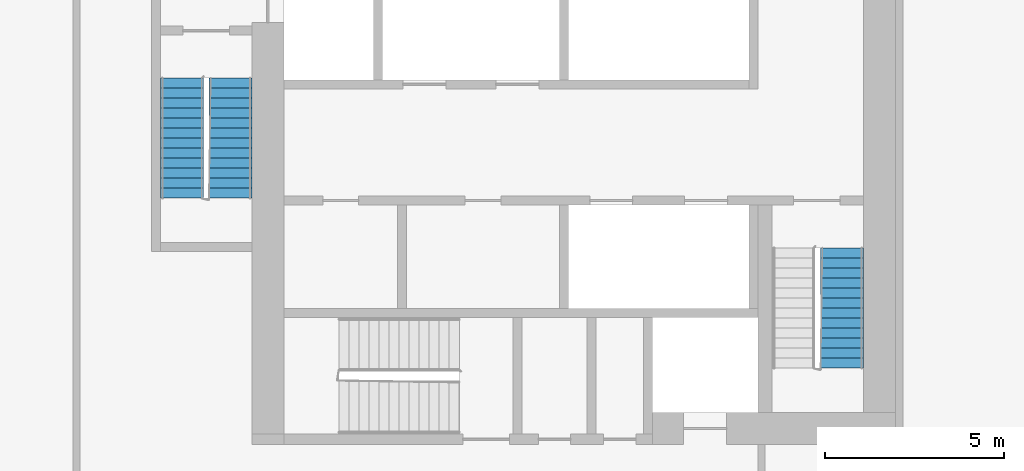
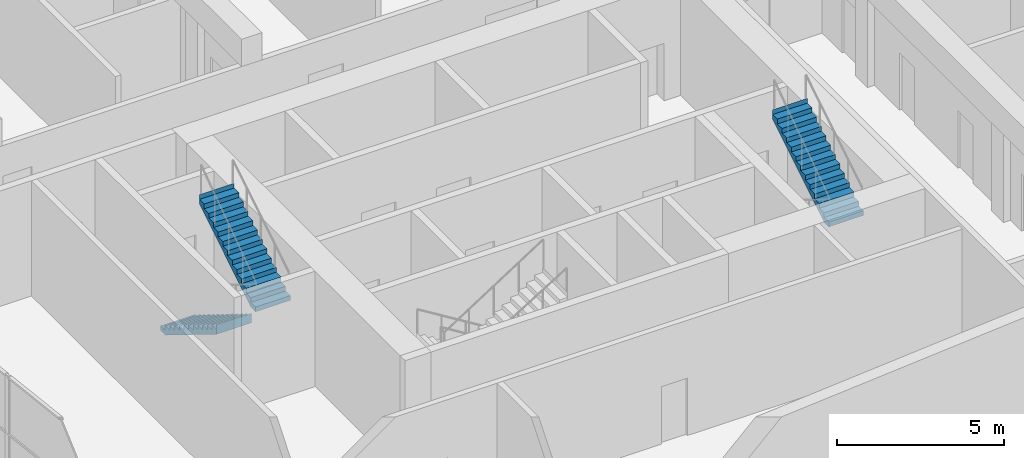
# One storey, part 18 of 21: 3 stair flights, 2 elements without a shape of their own.
"""IFC4 building model written with IfcOpenShell, lengths in metres."""

from ifc_helpers import new_model, si_unit, direction, frame, origin, place, context, subcontext, project, spatial, faceted_brep, material, type_object, element, aggregate, save


model = new_model("IFC4")

# Units and contexts
model_context = context("Model", 3, precision=1e-05, world=origin(), true_north=direction((0.0, 1.0)))
body_context = subcontext(model_context, "Body", "Model", "MODEL_VIEW")
ifc_project = project(units=[si_unit("LENGTHUNIT", "METRE"), si_unit("AREAUNIT", "SQUARE_METRE"), si_unit("VOLUMEUNIT", "CUBIC_METRE"), si_unit("PLANEANGLEUNIT", "RADIAN"), si_unit("MASSUNIT", "GRAM", prefix="KILO")], contexts=[model_context])

# Site, building, storey
site_placement = place(None, origin())
site = spatial("IfcSite", under=ifc_project, at=site_placement, CompositionType="ELEMENT")
building_placement = place(site_placement, origin())
building = spatial("IfcBuilding", under=site, at=building_placement, Name="Kajstack Hotel Tower", CompositionType="ELEMENT")
storey_placement = place(building_placement, frame((0.0, 0.0, 162.39990234375)))
storey = spatial("IfcBuildingStorey", under=building, at=storey_placement, Name="L37", CompositionType="ELEMENT", Elevation=162.39990234375)

# Stair, stair flights
ifc_material = material(Name="Concrete C40/50", Category="concrete")
stair_type = type_object("IfcStairType", Name="Exit stair 1200", PredefinedType="HALF_TURN_STAIR", material=ifc_material)
stair_1_placement = place(storey_placement, origin())
stair_1 = element("IfcStair", 1, at=stair_1_placement, inside=storey, type_object=stair_type, Name="L37 stair W1", PredefinedType="HALF_TURN_STAIR")
stair_flight_type = type_object("IfcStairFlightType", Name="Exit stair flight 1200", PredefinedType="STRAIGHT", material=ifc_material)
stair_flight_1_placement = place(storey_placement, frame((-33.449951171875, -5.25, 0.0), z_axis=(0.0, 0.0, 1.0), x_axis=(0.0, -1.0, 0.0)))
stair_flight_1 = element("IfcStairFlight", 2, at=stair_flight_1_placement, type_object=stair_flight_type, Name="W1 flight 1", NumberOfRisers=13, NumberOfTreads=12, PredefinedType="STRAIGHT", RiserHeight=0.173076923, TreadLength=0.28, context=body_context, shape_type="Brep", body=[
    faceted_brep([(0.28564453125, -0.60009765625, 0.0), (3.360595703125, -0.60009765625, 1.900634765625), (3.360595703125, -0.60009765625, 2.25), (3.360107421875, -0.60009765625, 2.25), (3.360107421875, -0.60009765625, 2.076904296875), (3.080078125, -0.60009765625, 2.076904296875), (3.080078125, -0.60009765625, 1.90380859375), (2.800048828125, -0.60009765625, 1.90380859375), (2.800048828125, -0.60009765625, 1.730712890625), (2.52001953125, -0.60009765625, 1.730712890625), (2.52001953125, -0.60009765625, 1.5576171875), (2.239990234375, -0.60009765625, 1.5576171875), (2.239990234375, -0.60009765625, 1.384521484375), (1.9599609375, -0.60009765625, 1.384521484375), (1.9599609375, -0.60009765625, 1.21142578125), (1.679931640625, -0.60009765625, 1.21142578125), (1.679931640625, -0.60009765625, 1.03857421875), (1.39990234375, -0.60009765625, 1.03857421875), (1.39990234375, -0.60009765625, 0.865478515625), (1.1201171875, -0.60009765625, 0.865478515625), (1.1201171875, -0.60009765625, 0.6923828125), (0.840087890625, -0.60009765625, 0.6923828125), (0.840087890625, -0.60009765625, 0.519287109375), (0.56005859375, -0.60009765625, 0.519287109375), (0.56005859375, -0.60009765625, 0.34619140625), (0.280029296875, -0.60009765625, 0.34619140625), (0.280029296875, -0.60009765625, 0.173095703125), (-0.00048828125, -0.60009765625, 0.173095703125), (-0.00048828125, -0.60009765625, 0.0), (-0.00048828125, 0.60009765625, 0.0), (-0.00048828125, 0.60009765625, 0.173095703125), (0.280029296875, 0.60009765625, 0.173095703125), (0.280029296875, 0.60009765625, 0.34619140625), (0.56005859375, 0.60009765625, 0.34619140625), (0.56005859375, 0.60009765625, 0.519287109375), (0.840087890625, 0.60009765625, 0.519287109375), (0.840087890625, 0.60009765625, 0.6923828125), (1.1201171875, 0.60009765625, 0.6923828125), (1.1201171875, 0.60009765625, 0.865478515625), (1.39990234375, 0.60009765625, 0.865478515625), (1.39990234375, 0.60009765625, 1.03857421875), (1.679931640625, 0.60009765625, 1.03857421875), (1.679931640625, 0.60009765625, 1.21142578125), (1.9599609375, 0.60009765625, 1.21142578125), (1.9599609375, 0.60009765625, 1.384521484375), (2.239990234375, 0.60009765625, 1.384521484375), (2.239990234375, 0.60009765625, 1.5576171875), (2.52001953125, 0.60009765625, 1.5576171875), (2.52001953125, 0.60009765625, 1.730712890625), (2.800048828125, 0.60009765625, 1.730712890625), (2.800048828125, 0.60009765625, 1.90380859375), (3.080078125, 0.60009765625, 1.90380859375), (3.080078125, 0.60009765625, 2.076904296875), (3.360107421875, 0.60009765625, 2.076904296875), (3.360107421875, 0.60009765625, 2.25), (3.360595703125, 0.60009765625, 2.25), (3.360595703125, 0.60009765625, 1.900634765625), (0.28564453125, 0.60009765625, 0.0), (-0.00048828125, -0.300048828125, 0.173095703125), (-0.00048828125, 0.0, 0.173095703125), (-0.00048828125, 0.300048828125, 0.173095703125), (-0.00048828125, 0.300048828125, 0.0), (-0.00048828125, 0.0, 0.0), (-0.00048828125, -0.300048828125, 0.0), (0.280029296875, -0.300048828125, 0.173095703125), (0.280029296875, 0.0, 0.173095703125), (0.280029296875, 0.300048828125, 0.173095703125), (0.280029296875, -0.300048828125, 0.34619140625), (0.280029296875, 0.0, 0.34619140625), (0.280029296875, 0.300048828125, 0.34619140625), (0.56005859375, -0.300048828125, 0.34619140625), (0.56005859375, 0.0, 0.34619140625), (0.56005859375, 0.300048828125, 0.34619140625), (0.56005859375, -0.300048828125, 0.519287109375), (0.56005859375, 0.0, 0.519287109375), (0.56005859375, 0.300048828125, 0.519287109375), (0.840087890625, -0.300048828125, 0.519287109375), (0.840087890625, 0.0, 0.519287109375), (0.840087890625, 0.300048828125, 0.519287109375), (0.840087890625, -0.300048828125, 0.6923828125), (0.840087890625, 0.0, 0.6923828125), (0.840087890625, 0.300048828125, 0.6923828125), (1.1201171875, -0.300048828125, 0.6923828125), (1.1201171875, 0.0, 0.6923828125), (1.1201171875, 0.300048828125, 0.6923828125), (1.1201171875, -0.300048828125, 0.865478515625), (1.1201171875, 0.0, 0.865478515625), (1.1201171875, 0.300048828125, 0.865478515625), (1.39990234375, -0.300048828125, 0.865478515625), (1.39990234375, 0.0, 0.865478515625), (1.39990234375, 0.300048828125, 0.865478515625), (1.39990234375, -0.300048828125, 1.03857421875), (1.39990234375, 0.0, 1.03857421875), (1.39990234375, 0.300048828125, 1.03857421875), (1.679931640625, -0.300048828125, 1.03857421875), (1.679931640625, 0.0, 1.03857421875), (1.679931640625, 0.300048828125, 1.03857421875), (1.679931640625, -0.300048828125, 1.21142578125), (1.679931640625, 0.0, 1.21142578125), (1.679931640625, 0.300048828125, 1.21142578125), (1.9599609375, -0.300048828125, 1.21142578125), (1.9599609375, 0.0, 1.21142578125), (1.9599609375, 0.300048828125, 1.21142578125), (1.9599609375, -0.300048828125, 1.384521484375), (1.9599609375, 0.0, 1.384521484375), (1.9599609375, 0.300048828125, 1.384521484375), (2.239990234375, -0.300048828125, 1.384521484375), (2.239990234375, 0.0, 1.384521484375), (2.239990234375, 0.300048828125, 1.384521484375), (2.239990234375, -0.300048828125, 1.5576171875), (2.239990234375, 0.0, 1.5576171875), (2.239990234375, 0.300048828125, 1.5576171875), (2.52001953125, -0.300048828125, 1.5576171875), (2.52001953125, 0.0, 1.5576171875), (2.52001953125, 0.300048828125, 1.5576171875), (2.52001953125, -0.300048828125, 1.730712890625), (2.52001953125, 0.0, 1.730712890625), (2.52001953125, 0.300048828125, 1.730712890625), (2.800048828125, -0.300048828125, 1.730712890625), (2.800048828125, 0.0, 1.730712890625), (2.800048828125, 0.300048828125, 1.730712890625), (2.800048828125, -0.300048828125, 1.90380859375), (2.800048828125, 0.0, 1.90380859375), (2.800048828125, 0.300048828125, 1.90380859375), (3.080078125, -0.300048828125, 1.90380859375), (3.080078125, 0.0, 1.90380859375), (3.080078125, 0.300048828125, 1.90380859375), (3.080078125, -0.300048828125, 2.076904296875), (3.080078125, 0.0, 2.076904296875), (3.080078125, 0.300048828125, 2.076904296875), (3.360107421875, -0.300048828125, 2.076904296875), (3.360107421875, 0.0, 2.076904296875), (3.360107421875, 0.300048828125, 2.076904296875), (3.360107421875, -0.300048828125, 2.25), (3.360107421875, 0.0, 2.25), (3.360107421875, 0.300048828125, 2.25), (3.360595703125, -0.300048828125, 2.25), (3.360595703125, 0.0, 2.25), (3.360595703125, 0.300048828125, 2.25), (3.360595703125, -0.300048828125, 1.900634765625), (3.360595703125, 0.0, 1.900634765625), (3.360595703125, 0.300048828125, 1.900634765625), (0.28564453125, -0.300048828125, 0.0), (0.28564453125, 0.0, 0.0), (0.28564453125, 0.300048828125, 0.0)], [[[0, 1, 2, 3, 4, 5, 6, 7, 8, 9, 10, 11, 12, 13, 14, 15, 16, 17, 18, 19, 20, 21, 22, 23, 24, 25, 26, 27, 28]], [[29, 30, 31, 32, 33, 34, 35, 36, 37, 38, 39, 40, 41, 42, 43, 44, 45, 46, 47, 48, 49, 50, 51, 52, 53, 54, 55, 56, 57]], [[27, 58, 59, 60, 30, 29, 61, 62, 63, 28]], [[26, 64, 65, 66, 31, 30, 60, 59, 58, 27]], [[25, 67, 68, 69, 32, 31, 66, 65, 64, 26]], [[24, 70, 71, 72, 33, 32, 69, 68, 67, 25]], [[23, 73, 74, 75, 34, 33, 72, 71, 70, 24]], [[22, 76, 77, 78, 35, 34, 75, 74, 73, 23]], [[21, 79, 80, 81, 36, 35, 78, 77, 76, 22]], [[20, 82, 83, 84, 37, 36, 81, 80, 79, 21]], [[19, 85, 86, 87, 38, 37, 84, 83, 82, 20]], [[18, 88, 89, 90, 39, 38, 87, 86, 85, 19]], [[17, 91, 92, 93, 40, 39, 90, 89, 88, 18]], [[16, 94, 95, 96, 41, 40, 93, 92, 91, 17]], [[15, 97, 98, 99, 42, 41, 96, 95, 94, 16]], [[14, 100, 101, 102, 43, 42, 99, 98, 97, 15]], [[13, 103, 104, 105, 44, 43, 102, 101, 100, 14]], [[12, 106, 107, 108, 45, 44, 105, 104, 103, 13]], [[11, 109, 110, 111, 46, 45, 108, 107, 106, 12]], [[10, 112, 113, 114, 47, 46, 111, 110, 109, 11]], [[9, 115, 116, 117, 48, 47, 114, 113, 112, 10]], [[8, 118, 119, 120, 49, 48, 117, 116, 115, 9]], [[7, 121, 122, 123, 50, 49, 120, 119, 118, 8]], [[6, 124, 125, 126, 51, 50, 123, 122, 121, 7]], [[5, 127, 128, 129, 52, 51, 126, 125, 124, 6]], [[4, 130, 131, 132, 53, 52, 129, 128, 127, 5]], [[3, 133, 134, 135, 54, 53, 132, 131, 130, 4]], [[2, 136, 137, 138, 55, 54, 135, 134, 133, 3]], [[1, 139, 140, 141, 56, 55, 138, 137, 136, 2]], [[0, 142, 143, 144, 57, 56, 141, 140, 139, 1]], [[28, 63, 62, 61, 29, 57, 144, 143, 142, 0]]]),
])
stair_flight_2_placement = place(storey_placement, frame((-32.10009765625, -8.610107421875, 2.25), z_axis=(0.0, 0.0, 1.0), x_axis=(0.0, 1.0, 0.0)))
stair_flight_2 = element("IfcStairFlight", 3, at=stair_flight_2_placement, type_object=stair_flight_type, Name="W1 flight 2", NumberOfRisers=13, NumberOfTreads=12, PredefinedType="STRAIGHT", RiserHeight=0.173076923, TreadLength=0.28, context=body_context, shape_type="Brep", body=[
    faceted_brep([(0.28564453125, -0.60009765625, 0.0), (3.360595703125, -0.60009765625, 1.900634765625), (3.360595703125, -0.60009765625, 2.25), (3.360107421875, -0.60009765625, 2.25), (3.360107421875, -0.60009765625, 2.076904296875), (3.080078125, -0.60009765625, 2.076904296875), (3.080078125, -0.60009765625, 1.90380859375), (2.800048828125, -0.60009765625, 1.90380859375), (2.800048828125, -0.60009765625, 1.730712890625), (2.52001953125, -0.60009765625, 1.730712890625), (2.52001953125, -0.60009765625, 1.5576171875), (2.239990234375, -0.60009765625, 1.5576171875), (2.239990234375, -0.60009765625, 1.384521484375), (1.9599609375, -0.60009765625, 1.384521484375), (1.9599609375, -0.60009765625, 1.21142578125), (1.679931640625, -0.60009765625, 1.21142578125), (1.679931640625, -0.60009765625, 1.03857421875), (1.39990234375, -0.60009765625, 1.03857421875), (1.39990234375, -0.60009765625, 0.865478515625), (1.1201171875, -0.60009765625, 0.865478515625), (1.1201171875, -0.60009765625, 0.6923828125), (0.840087890625, -0.60009765625, 0.6923828125), (0.840087890625, -0.60009765625, 0.519287109375), (0.56005859375, -0.60009765625, 0.519287109375), (0.56005859375, -0.60009765625, 0.34619140625), (0.280029296875, -0.60009765625, 0.34619140625), (0.280029296875, -0.60009765625, 0.173095703125), (-0.00048828125, -0.60009765625, 0.173095703125), (-0.00048828125, -0.60009765625, 0.0), (-0.00048828125, 0.60009765625, 0.0), (-0.00048828125, 0.60009765625, 0.173095703125), (0.280029296875, 0.60009765625, 0.173095703125), (0.280029296875, 0.60009765625, 0.34619140625), (0.56005859375, 0.60009765625, 0.34619140625), (0.56005859375, 0.60009765625, 0.519287109375), (0.840087890625, 0.60009765625, 0.519287109375), (0.840087890625, 0.60009765625, 0.6923828125), (1.1201171875, 0.60009765625, 0.6923828125), (1.1201171875, 0.60009765625, 0.865478515625), (1.39990234375, 0.60009765625, 0.865478515625), (1.39990234375, 0.60009765625, 1.03857421875), (1.679931640625, 0.60009765625, 1.03857421875), (1.679931640625, 0.60009765625, 1.21142578125), (1.9599609375, 0.60009765625, 1.21142578125), (1.9599609375, 0.60009765625, 1.384521484375), (2.239990234375, 0.60009765625, 1.384521484375), (2.239990234375, 0.60009765625, 1.5576171875), (2.52001953125, 0.60009765625, 1.5576171875), (2.52001953125, 0.60009765625, 1.730712890625), (2.800048828125, 0.60009765625, 1.730712890625), (2.800048828125, 0.60009765625, 1.90380859375), (3.080078125, 0.60009765625, 1.90380859375), (3.080078125, 0.60009765625, 2.076904296875), (3.360107421875, 0.60009765625, 2.076904296875), (3.360107421875, 0.60009765625, 2.25), (3.360595703125, 0.60009765625, 2.25), (3.360595703125, 0.60009765625, 1.900634765625), (0.28564453125, 0.60009765625, 0.0), (-0.00048828125, -0.300048828125, 0.173095703125), (-0.00048828125, 0.0, 0.173095703125), (-0.00048828125, 0.300048828125, 0.173095703125), (-0.00048828125, 0.300048828125, 0.0), (-0.00048828125, 0.0, 0.0), (-0.00048828125, -0.300048828125, 0.0), (0.280029296875, -0.300048828125, 0.173095703125), (0.280029296875, 0.0, 0.173095703125), (0.280029296875, 0.300048828125, 0.173095703125), (0.280029296875, -0.300048828125, 0.34619140625), (0.280029296875, 0.0, 0.34619140625), (0.280029296875, 0.300048828125, 0.34619140625), (0.56005859375, -0.300048828125, 0.34619140625), (0.56005859375, 0.0, 0.34619140625), (0.56005859375, 0.300048828125, 0.34619140625), (0.56005859375, -0.300048828125, 0.519287109375), (0.56005859375, 0.0, 0.519287109375), (0.56005859375, 0.300048828125, 0.519287109375), (0.840087890625, -0.300048828125, 0.519287109375), (0.840087890625, 0.0, 0.519287109375), (0.840087890625, 0.300048828125, 0.519287109375), (0.840087890625, -0.300048828125, 0.6923828125), (0.840087890625, 0.0, 0.6923828125), (0.840087890625, 0.300048828125, 0.6923828125), (1.1201171875, -0.300048828125, 0.6923828125), (1.1201171875, 0.0, 0.6923828125), (1.1201171875, 0.300048828125, 0.6923828125), (1.1201171875, -0.300048828125, 0.865478515625), (1.1201171875, 0.0, 0.865478515625), (1.1201171875, 0.300048828125, 0.865478515625), (1.39990234375, -0.300048828125, 0.865478515625), (1.39990234375, 0.0, 0.865478515625), (1.39990234375, 0.300048828125, 0.865478515625), (1.39990234375, -0.300048828125, 1.03857421875), (1.39990234375, 0.0, 1.03857421875), (1.39990234375, 0.300048828125, 1.03857421875), (1.679931640625, -0.300048828125, 1.03857421875), (1.679931640625, 0.0, 1.03857421875), (1.679931640625, 0.300048828125, 1.03857421875), (1.679931640625, -0.300048828125, 1.21142578125), (1.679931640625, 0.0, 1.21142578125), (1.679931640625, 0.300048828125, 1.21142578125), (1.9599609375, -0.300048828125, 1.21142578125), (1.9599609375, 0.0, 1.21142578125), (1.9599609375, 0.300048828125, 1.21142578125), (1.9599609375, -0.300048828125, 1.384521484375), (1.9599609375, 0.0, 1.384521484375), (1.9599609375, 0.300048828125, 1.384521484375), (2.239990234375, -0.300048828125, 1.384521484375), (2.239990234375, 0.0, 1.384521484375), (2.239990234375, 0.300048828125, 1.384521484375), (2.239990234375, -0.300048828125, 1.5576171875), (2.239990234375, 0.0, 1.5576171875), (2.239990234375, 0.300048828125, 1.5576171875), (2.52001953125, -0.300048828125, 1.5576171875), (2.52001953125, 0.0, 1.5576171875), (2.52001953125, 0.300048828125, 1.5576171875), (2.52001953125, -0.300048828125, 1.730712890625), (2.52001953125, 0.0, 1.730712890625), (2.52001953125, 0.300048828125, 1.730712890625), (2.800048828125, -0.300048828125, 1.730712890625), (2.800048828125, 0.0, 1.730712890625), (2.800048828125, 0.300048828125, 1.730712890625), (2.800048828125, -0.300048828125, 1.90380859375), (2.800048828125, 0.0, 1.90380859375), (2.800048828125, 0.300048828125, 1.90380859375), (3.080078125, -0.300048828125, 1.90380859375), (3.080078125, 0.0, 1.90380859375), (3.080078125, 0.300048828125, 1.90380859375), (3.080078125, -0.300048828125, 2.076904296875), (3.080078125, 0.0, 2.076904296875), (3.080078125, 0.300048828125, 2.076904296875), (3.360107421875, -0.300048828125, 2.076904296875), (3.360107421875, 0.0, 2.076904296875), (3.360107421875, 0.300048828125, 2.076904296875), (3.360107421875, -0.300048828125, 2.25), (3.360107421875, 0.0, 2.25), (3.360107421875, 0.300048828125, 2.25), (3.360595703125, -0.300048828125, 2.25), (3.360595703125, 0.0, 2.25), (3.360595703125, 0.300048828125, 2.25), (3.360595703125, -0.300048828125, 1.900634765625), (3.360595703125, 0.0, 1.900634765625), (3.360595703125, 0.300048828125, 1.900634765625), (0.28564453125, -0.300048828125, 0.0), (0.28564453125, 0.0, 0.0), (0.28564453125, 0.300048828125, 0.0)], [[[0, 1, 2, 3, 4, 5, 6, 7, 8, 9, 10, 11, 12, 13, 14, 15, 16, 17, 18, 19, 20, 21, 22, 23, 24, 25, 26, 27, 28]], [[29, 30, 31, 32, 33, 34, 35, 36, 37, 38, 39, 40, 41, 42, 43, 44, 45, 46, 47, 48, 49, 50, 51, 52, 53, 54, 55, 56, 57]], [[27, 58, 59, 60, 30, 29, 61, 62, 63, 28]], [[26, 64, 65, 66, 31, 30, 60, 59, 58, 27]], [[25, 67, 68, 69, 32, 31, 66, 65, 64, 26]], [[24, 70, 71, 72, 33, 32, 69, 68, 67, 25]], [[23, 73, 74, 75, 34, 33, 72, 71, 70, 24]], [[22, 76, 77, 78, 35, 34, 75, 74, 73, 23]], [[21, 79, 80, 81, 36, 35, 78, 77, 76, 22]], [[20, 82, 83, 84, 37, 36, 81, 80, 79, 21]], [[19, 85, 86, 87, 38, 37, 84, 83, 82, 20]], [[18, 88, 89, 90, 39, 38, 87, 86, 85, 19]], [[17, 91, 92, 93, 40, 39, 90, 89, 88, 18]], [[16, 94, 95, 96, 41, 40, 93, 92, 91, 17]], [[15, 97, 98, 99, 42, 41, 96, 95, 94, 16]], [[14, 100, 101, 102, 43, 42, 99, 98, 97, 15]], [[13, 103, 104, 105, 44, 43, 102, 101, 100, 14]], [[12, 106, 107, 108, 45, 44, 105, 104, 103, 13]], [[11, 109, 110, 111, 46, 45, 108, 107, 106, 12]], [[10, 112, 113, 114, 47, 46, 111, 110, 109, 11]], [[9, 115, 116, 117, 48, 47, 114, 113, 112, 10]], [[8, 118, 119, 120, 49, 48, 117, 116, 115, 9]], [[7, 121, 122, 123, 50, 49, 120, 119, 118, 8]], [[6, 124, 125, 126, 51, 50, 123, 122, 121, 7]], [[5, 127, 128, 129, 52, 51, 126, 125, 124, 6]], [[4, 130, 131, 132, 53, 52, 129, 128, 127, 5]], [[3, 133, 134, 135, 54, 53, 132, 131, 130, 4]], [[2, 136, 137, 138, 55, 54, 135, 134, 133, 3]], [[1, 139, 140, 141, 56, 55, 138, 137, 136, 2]], [[0, 142, 143, 144, 57, 56, 141, 140, 139, 1]], [[28, 63, 62, 61, 29, 57, 144, 143, 142, 0]]]),
])
aggregate(stair_1, [stair_flight_1, stair_flight_2])

# Stair, stair flight
stair_2_placement = place(storey_placement, origin())
stair_2 = element("IfcStair", 4, at=stair_2_placement, inside=storey, type_object=stair_type, Name="L37 stair W2", PredefinedType="HALF_TURN_STAIR")
stair_flight_3_placement = place(storey_placement, frame((-15.0, -13.360107421875, 2.25), z_axis=(0.0, 0.0, 1.0), x_axis=(0.0, 1.0, 0.0)))
stair_flight_3 = element("IfcStairFlight", 5, at=stair_flight_3_placement, type_object=stair_flight_type, Name="W2 flight 2", NumberOfRisers=13, NumberOfTreads=12, PredefinedType="STRAIGHT", RiserHeight=0.173076923, TreadLength=0.28, context=body_context, shape_type="Brep", body=[
    faceted_brep([(0.28564453125, -0.60009765625, 0.0), (3.360595703125, -0.60009765625, 1.900634765625), (3.360595703125, -0.60009765625, 2.25), (3.360107421875, -0.60009765625, 2.25), (3.360107421875, -0.60009765625, 2.076904296875), (3.080078125, -0.60009765625, 2.076904296875), (3.080078125, -0.60009765625, 1.90380859375), (2.800048828125, -0.60009765625, 1.90380859375), (2.800048828125, -0.60009765625, 1.730712890625), (2.52001953125, -0.60009765625, 1.730712890625), (2.52001953125, -0.60009765625, 1.5576171875), (2.239990234375, -0.60009765625, 1.5576171875), (2.239990234375, -0.60009765625, 1.384521484375), (1.9599609375, -0.60009765625, 1.384521484375), (1.9599609375, -0.60009765625, 1.21142578125), (1.679931640625, -0.60009765625, 1.21142578125), (1.679931640625, -0.60009765625, 1.03857421875), (1.39990234375, -0.60009765625, 1.03857421875), (1.39990234375, -0.60009765625, 0.865478515625), (1.1201171875, -0.60009765625, 0.865478515625), (1.1201171875, -0.60009765625, 0.6923828125), (0.840087890625, -0.60009765625, 0.6923828125), (0.840087890625, -0.60009765625, 0.519287109375), (0.56005859375, -0.60009765625, 0.519287109375), (0.56005859375, -0.60009765625, 0.34619140625), (0.280029296875, -0.60009765625, 0.34619140625), (0.280029296875, -0.60009765625, 0.173095703125), (-0.00048828125, -0.60009765625, 0.173095703125), (-0.00048828125, -0.60009765625, 0.0), (-0.00048828125, 0.60009765625, 0.0), (-0.00048828125, 0.60009765625, 0.173095703125), (0.280029296875, 0.60009765625, 0.173095703125), (0.280029296875, 0.60009765625, 0.34619140625), (0.56005859375, 0.60009765625, 0.34619140625), (0.56005859375, 0.60009765625, 0.519287109375), (0.840087890625, 0.60009765625, 0.519287109375), (0.840087890625, 0.60009765625, 0.6923828125), (1.1201171875, 0.60009765625, 0.6923828125), (1.1201171875, 0.60009765625, 0.865478515625), (1.39990234375, 0.60009765625, 0.865478515625), (1.39990234375, 0.60009765625, 1.03857421875), (1.679931640625, 0.60009765625, 1.03857421875), (1.679931640625, 0.60009765625, 1.21142578125), (1.9599609375, 0.60009765625, 1.21142578125), (1.9599609375, 0.60009765625, 1.384521484375), (2.239990234375, 0.60009765625, 1.384521484375), (2.239990234375, 0.60009765625, 1.5576171875), (2.52001953125, 0.60009765625, 1.5576171875), (2.52001953125, 0.60009765625, 1.730712890625), (2.800048828125, 0.60009765625, 1.730712890625), (2.800048828125, 0.60009765625, 1.90380859375), (3.080078125, 0.60009765625, 1.90380859375), (3.080078125, 0.60009765625, 2.076904296875), (3.360107421875, 0.60009765625, 2.076904296875), (3.360107421875, 0.60009765625, 2.25), (3.360595703125, 0.60009765625, 2.25), (3.360595703125, 0.60009765625, 1.900634765625), (0.28564453125, 0.60009765625, 0.0), (-0.00048828125, -0.300048828125, 0.173095703125), (-0.00048828125, 0.0, 0.173095703125), (-0.00048828125, 0.300048828125, 0.173095703125), (-0.00048828125, 0.300048828125, 0.0), (-0.00048828125, 0.0, 0.0), (-0.00048828125, -0.300048828125, 0.0), (0.280029296875, -0.300048828125, 0.173095703125), (0.280029296875, 0.0, 0.173095703125), (0.280029296875, 0.300048828125, 0.173095703125), (0.280029296875, -0.300048828125, 0.34619140625), (0.280029296875, 0.0, 0.34619140625), (0.280029296875, 0.300048828125, 0.34619140625), (0.56005859375, -0.300048828125, 0.34619140625), (0.56005859375, 0.0, 0.34619140625), (0.56005859375, 0.300048828125, 0.34619140625), (0.56005859375, -0.300048828125, 0.519287109375), (0.56005859375, 0.0, 0.519287109375), (0.56005859375, 0.300048828125, 0.519287109375), (0.840087890625, -0.300048828125, 0.519287109375), (0.840087890625, 0.0, 0.519287109375), (0.840087890625, 0.300048828125, 0.519287109375), (0.840087890625, -0.300048828125, 0.6923828125), (0.840087890625, 0.0, 0.6923828125), (0.840087890625, 0.300048828125, 0.6923828125), (1.1201171875, -0.300048828125, 0.6923828125), (1.1201171875, 0.0, 0.6923828125), (1.1201171875, 0.300048828125, 0.6923828125), (1.1201171875, -0.300048828125, 0.865478515625), (1.1201171875, 0.0, 0.865478515625), (1.1201171875, 0.300048828125, 0.865478515625), (1.39990234375, -0.300048828125, 0.865478515625), (1.39990234375, 0.0, 0.865478515625), (1.39990234375, 0.300048828125, 0.865478515625), (1.39990234375, -0.300048828125, 1.03857421875), (1.39990234375, 0.0, 1.03857421875), (1.39990234375, 0.300048828125, 1.03857421875), (1.679931640625, -0.300048828125, 1.03857421875), (1.679931640625, 0.0, 1.03857421875), (1.679931640625, 0.300048828125, 1.03857421875), (1.679931640625, -0.300048828125, 1.21142578125), (1.679931640625, 0.0, 1.21142578125), (1.679931640625, 0.300048828125, 1.21142578125), (1.9599609375, -0.300048828125, 1.21142578125), (1.9599609375, 0.0, 1.21142578125), (1.9599609375, 0.300048828125, 1.21142578125), (1.9599609375, -0.300048828125, 1.384521484375), (1.9599609375, 0.0, 1.384521484375), (1.9599609375, 0.300048828125, 1.384521484375), (2.239990234375, -0.300048828125, 1.384521484375), (2.239990234375, 0.0, 1.384521484375), (2.239990234375, 0.300048828125, 1.384521484375), (2.239990234375, -0.300048828125, 1.5576171875), (2.239990234375, 0.0, 1.5576171875), (2.239990234375, 0.300048828125, 1.5576171875), (2.52001953125, -0.300048828125, 1.5576171875), (2.52001953125, 0.0, 1.5576171875), (2.52001953125, 0.300048828125, 1.5576171875), (2.52001953125, -0.300048828125, 1.730712890625), (2.52001953125, 0.0, 1.730712890625), (2.52001953125, 0.300048828125, 1.730712890625), (2.800048828125, -0.300048828125, 1.730712890625), (2.800048828125, 0.0, 1.730712890625), (2.800048828125, 0.300048828125, 1.730712890625), (2.800048828125, -0.300048828125, 1.90380859375), (2.800048828125, 0.0, 1.90380859375), (2.800048828125, 0.300048828125, 1.90380859375), (3.080078125, -0.300048828125, 1.90380859375), (3.080078125, 0.0, 1.90380859375), (3.080078125, 0.300048828125, 1.90380859375), (3.080078125, -0.300048828125, 2.076904296875), (3.080078125, 0.0, 2.076904296875), (3.080078125, 0.300048828125, 2.076904296875), (3.360107421875, -0.300048828125, 2.076904296875), (3.360107421875, 0.0, 2.076904296875), (3.360107421875, 0.300048828125, 2.076904296875), (3.360107421875, -0.300048828125, 2.25), (3.360107421875, 0.0, 2.25), (3.360107421875, 0.300048828125, 2.25), (3.360595703125, -0.300048828125, 2.25), (3.360595703125, 0.0, 2.25), (3.360595703125, 0.300048828125, 2.25), (3.360595703125, -0.300048828125, 1.900634765625), (3.360595703125, 0.0, 1.900634765625), (3.360595703125, 0.300048828125, 1.900634765625), (0.28564453125, -0.300048828125, 0.0), (0.28564453125, 0.0, 0.0), (0.28564453125, 0.300048828125, 0.0)], [[[0, 1, 2, 3, 4, 5, 6, 7, 8, 9, 10, 11, 12, 13, 14, 15, 16, 17, 18, 19, 20, 21, 22, 23, 24, 25, 26, 27, 28]], [[29, 30, 31, 32, 33, 34, 35, 36, 37, 38, 39, 40, 41, 42, 43, 44, 45, 46, 47, 48, 49, 50, 51, 52, 53, 54, 55, 56, 57]], [[27, 58, 59, 60, 30, 29, 61, 62, 63, 28]], [[26, 64, 65, 66, 31, 30, 60, 59, 58, 27]], [[25, 67, 68, 69, 32, 31, 66, 65, 64, 26]], [[24, 70, 71, 72, 33, 32, 69, 68, 67, 25]], [[23, 73, 74, 75, 34, 33, 72, 71, 70, 24]], [[22, 76, 77, 78, 35, 34, 75, 74, 73, 23]], [[21, 79, 80, 81, 36, 35, 78, 77, 76, 22]], [[20, 82, 83, 84, 37, 36, 81, 80, 79, 21]], [[19, 85, 86, 87, 38, 37, 84, 83, 82, 20]], [[18, 88, 89, 90, 39, 38, 87, 86, 85, 19]], [[17, 91, 92, 93, 40, 39, 90, 89, 88, 18]], [[16, 94, 95, 96, 41, 40, 93, 92, 91, 17]], [[15, 97, 98, 99, 42, 41, 96, 95, 94, 16]], [[14, 100, 101, 102, 43, 42, 99, 98, 97, 15]], [[13, 103, 104, 105, 44, 43, 102, 101, 100, 14]], [[12, 106, 107, 108, 45, 44, 105, 104, 103, 13]], [[11, 109, 110, 111, 46, 45, 108, 107, 106, 12]], [[10, 112, 113, 114, 47, 46, 111, 110, 109, 11]], [[9, 115, 116, 117, 48, 47, 114, 113, 112, 10]], [[8, 118, 119, 120, 49, 48, 117, 116, 115, 9]], [[7, 121, 122, 123, 50, 49, 120, 119, 118, 8]], [[6, 124, 125, 126, 51, 50, 123, 122, 121, 7]], [[5, 127, 128, 129, 52, 51, 126, 125, 124, 6]], [[4, 130, 131, 132, 53, 52, 129, 128, 127, 5]], [[3, 133, 134, 135, 54, 53, 132, 131, 130, 4]], [[2, 136, 137, 138, 55, 54, 135, 134, 133, 3]], [[1, 139, 140, 141, 56, 55, 138, 137, 136, 2]], [[0, 142, 143, 144, 57, 56, 141, 140, 139, 1]], [[28, 63, 62, 61, 29, 57, 144, 143, 142, 0]]]),
])
aggregate(stair_2, [stair_flight_3])

save(model, "model.ifc")
